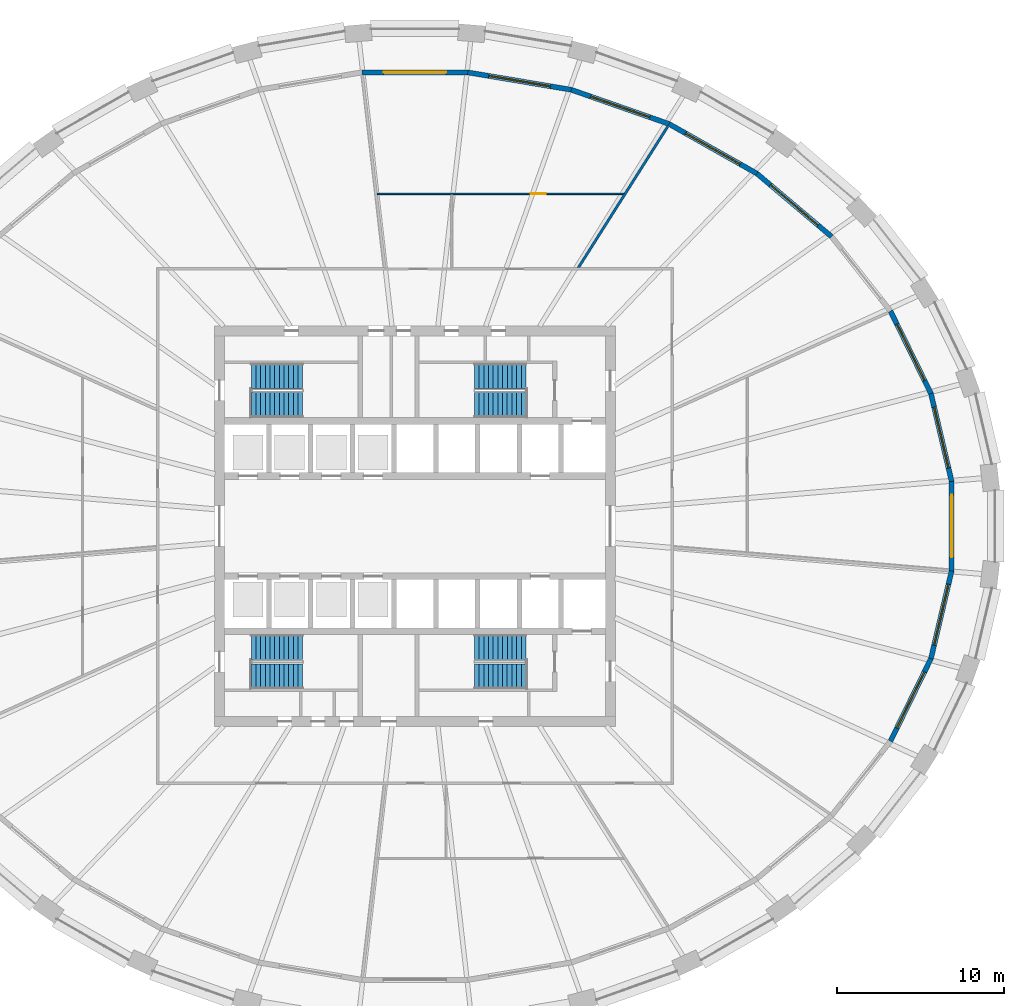
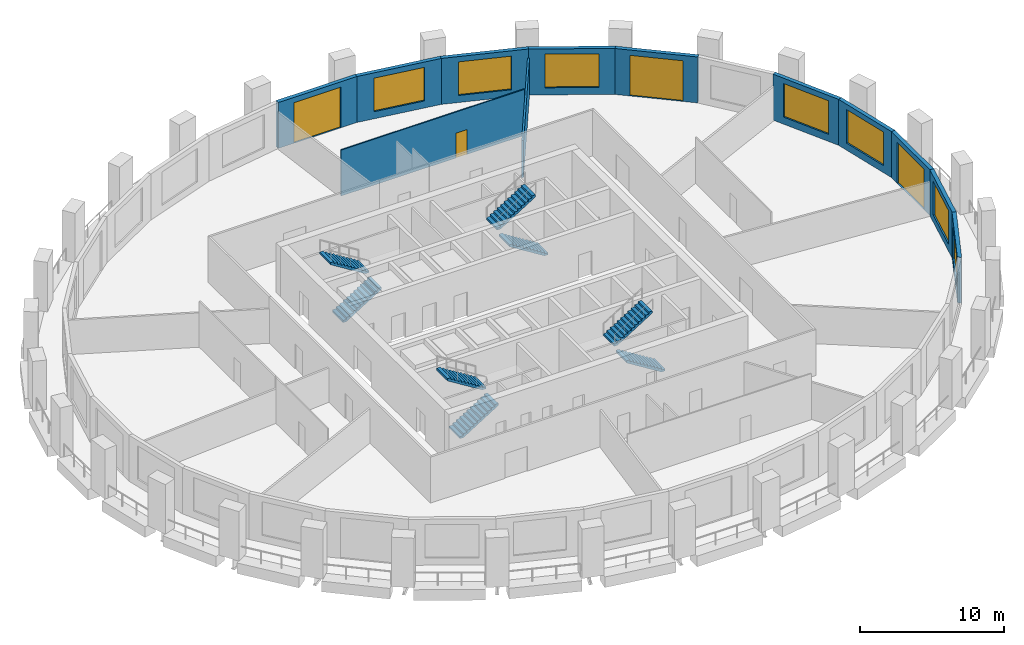
# One storey, part 7 of 10: 12 walls, 8 stair flights, 7 windows, 4 doors, 11 openings, 4 elements without a shape of their own.
"""IFC4 building model written with IfcOpenShell, lengths in metres."""

import ifcopenshell
import ifcopenshell.guid

model = None  # the IFC model being written
_history = None  # IfcOwnerHistory: only IFC2X3 demands one
_inside = {}  # id of a spatial element -> (the spatial element, [elements in it])
_under = {}  # id of a project, library or spatial element -> (it, [spatial elements below it])
_declared = {}  # id of a project -> (the project, [libraries it declares])
_typed = {}  # id of a type object -> (the type object, [elements of that type])
_made_of = {}  # id of a material, layer set ... -> (it, [elements and type objects made of it])


def new_model(schema):
    """Start an empty IFC model of exactly this schema.

    Asked for "IFC4X3", IfcOpenShell would pick the latest addendum, in which some entities
    have other attributes; the version numbers below select the first issue.
    IFC2X3 requires an IfcOwnerHistory on every rooted entity: one is made here for all.
    """
    global model, _history
    if schema == "IFC4X3":
        model = ifcopenshell.file(schema_version=(4, 3, 0, 0))
    else:
        model = ifcopenshell.file(schema=schema)
    _inside.clear()
    _under.clear()
    _declared.clear()
    _typed.clear()
    _made_of.clear()
    _history = None
    if model.schema == "IFC2X3":
        org = make("IfcOrganization", Name="unknown")
        user = make(
            "IfcPersonAndOrganization",
            ThePerson=make("IfcPerson", FamilyName="unknown"),
            TheOrganization=org,
        )
        app = make(
            "IfcApplication",
            ApplicationDeveloper=org,
            Version="unknown",
            ApplicationFullName="unknown",
            ApplicationIdentifier="unknown",
        )
        _history = make(
            "IfcOwnerHistory",
            OwningUser=user,
            OwningApplication=app,
            ChangeAction="ADDED",
            CreationDate=0,
        )
    return model


def make(cls, **values):
    """One entity of the class cls with the attributes given. An attribute that is None is left unset."""
    return model.create_entity(
        cls, **{name: value for name, value in values.items() if value is not None}
    )


def rooted(cls, **values):
    """An entity with a GlobalId (a new one), such as an element, a storey or a relation."""
    return make(cls, GlobalId=ifcopenshell.guid.new(), OwnerHistory=_history, **values)


def si_unit(unit_type, name, prefix=None):
    """IfcSIUnit, for example si_unit("LENGTHUNIT", "METRE", prefix="MILLI")."""
    return make("IfcSIUnit", UnitType=unit_type, Prefix=prefix, Name=name)


def assignment(units):
    """IfcUnitAssignment: the units of a project."""
    return None if units is None else make("IfcUnitAssignment", Units=units)


def point(xyz):
    """IfcCartesianPoint."""
    return None if xyz is None else make("IfcCartesianPoint", Coordinates=xyz)


def direction(xyz):
    """IfcDirection."""
    return None if xyz is None else make("IfcDirection", DirectionRatios=xyz)


def frame(location, z_axis=None, x_axis=None):
    """IfcAxis2Placement3D, a coordinate frame: its origin and axes. An axis left out is left unset."""
    return make(
        "IfcAxis2Placement3D",
        Location=point(location),
        Axis=direction(z_axis),
        RefDirection=direction(x_axis),
    )


def frame_2d(location, x_axis=None):
    """IfcAxis2Placement2D, a coordinate frame in the plane: its origin and x axis."""
    return make(
        "IfcAxis2Placement2D", Location=point(location), RefDirection=direction(x_axis)
    )


def origin():
    """The frame at (0, 0, 0) with its axes left unset."""
    return frame((0.0, 0.0, 0.0))


def place(relative_to, where):
    """IfcLocalPlacement: puts the frame where relative to a parent placement (None: the world)."""
    return make(
        "IfcLocalPlacement", PlacementRelTo=relative_to, RelativePlacement=where
    )


def context(
    kind, dimensions, precision=None, world=None, true_north=None, identifier=None
):
    """IfcGeometricRepresentationContext, for example the 3D "Model" context."""
    return make(
        "IfcGeometricRepresentationContext",
        ContextIdentifier=identifier,
        ContextType=kind,
        CoordinateSpaceDimension=dimensions,
        Precision=precision,
        WorldCoordinateSystem=world,
        TrueNorth=true_north,
    )


def subcontext(parent, identifier, kind, view, scale=None):
    """IfcGeometricRepresentationSubContext, for example "Body" below "Model"."""
    return make(
        "IfcGeometricRepresentationSubContext",
        ContextIdentifier=identifier,
        ContextType=kind,
        ParentContext=parent,
        TargetScale=scale,
        TargetView=view,
    )


def project(units=None, contexts=None):
    """IfcProject with its units and contexts."""
    return rooted(
        "IfcProject",
        Name="project",
        RepresentationContexts=contexts,
        UnitsInContext=assignment(units),
    )


def spatial(cls, under=None, at=None, **own):
    """A site, building, storey or space (cls), placed at a placement, below another one or the project."""
    s = rooted(cls, ObjectPlacement=at, **own)
    if under is not None:
        _under.setdefault(under.id(), (under, []))[1].append(s)
    return s


def polyline(points):
    """IfcPolyline through the points."""
    return make("IfcPolyline", Points=[point(p) for p in points])


def profile(cls, at=None, kind="AREA", **sizes):
    """A parametric profile (cls). Its sizes go by their IFC names, for example OverallWidth=200.0."""
    return make(cls, ProfileType=kind, Position=at, **sizes)


def rectangle(**sizes):
    """IfcRectangleProfileDef."""
    return profile("IfcRectangleProfileDef", **sizes)


def outline(outer, holes=None, kind="AREA"):
    """IfcArbitraryClosedProfileDef: a profile drawn as a closed curve; with holes, ...WithVoids."""
    if holes is None:
        return make("IfcArbitraryClosedProfileDef", ProfileType=kind, OuterCurve=outer)
    return make(
        "IfcArbitraryProfileDefWithVoids",
        ProfileType=kind,
        OuterCurve=outer,
        InnerCurves=holes,
    )


def extrude(swept, where, along, depth):
    """IfcExtrudedAreaSolid: the profile swept, set in the frame where, extruded along a direction by depth."""
    return make(
        "IfcExtrudedAreaSolid",
        SweptArea=swept,
        Position=where,
        ExtrudedDirection=direction(along),
        Depth=depth,
    )


def shape(context_of_items, identifier, shape_type, items):
    """IfcShapeRepresentation: the items that make up one representation, for example the "Body"."""
    return make(
        "IfcShapeRepresentation",
        ContextOfItems=context_of_items,
        RepresentationIdentifier=identifier,
        RepresentationType=shape_type,
        Items=items,
    )


def material(Name=None, Category=None):
    """IfcMaterial."""
    return make("IfcMaterial", Name=Name, Category=Category)


def layer(
    of_material, thickness, ventilated=None, Name=None, Category=None, Priority=None
):
    """IfcMaterialLayer: one layer of a wall or slab, of a material (None: an air gap)."""
    return make(
        "IfcMaterialLayer",
        Material=of_material,
        LayerThickness=thickness,
        IsVentilated=ventilated,
        Name=Name,
        Category=Category,
        Priority=Priority,
    )


def layer_set(layers, Name=None):
    """IfcMaterialLayerSet."""
    return make("IfcMaterialLayerSet", MaterialLayers=layers, LayerSetName=Name)


def made_of(thing, what):
    """Note that an element or type object is made of a material, layer set ...; save() writes the relation."""
    if what is not None:
        _made_of.setdefault(what.id(), (what, []))[1].append(thing)
    return thing


def type_object(cls, material=None, **own):
    """A type object (cls), such as IfcWallType, which elements share."""
    return made_of(rooted(cls, **own), material)


def element(
    cls,
    number,
    at=None,
    inside=None,
    cuts=None,
    type_object=None,
    material=None,
    context=None,
    identifier="Body",
    shape_type=None,
    held_by="IfcProductDefinitionShape",
    body=None,
    shapes=None,
    **own,
):
    """One element of the class cls, such as IfcWall. Its Tag is "e" and its number.

    at: its placement. inside: the storey or other place that contains it. cuts: it is an
    opening in that element (IfcRelVoidsElement). A single representation is given by context,
    identifier, shape_type and body (its items); several are given by shapes. held_by: the class
    of the entity that holds the representations. save() writes the other relations.
    """
    e = rooted(cls, Tag="e%d" % number, ObjectPlacement=at, **own)
    if body is not None:
        shapes = [shape(context, identifier, shape_type, body)]
    if shapes is not None:
        e.Representation = make(held_by, Representations=shapes)
    if inside is not None:
        _inside.setdefault(inside.id(), (inside, []))[1].append(e)
    if cuts is not None:
        rooted(
            "IfcRelVoidsElement", RelatingBuildingElement=cuts, RelatedOpeningElement=e
        )
    if type_object is not None:
        _typed.setdefault(type_object.id(), (type_object, []))[1].append(e)
    return made_of(e, material)


def fill(opening, filler):
    """IfcRelFillsElement: the door or window that sits in an opening."""
    return rooted(
        "IfcRelFillsElement",
        RelatingOpeningElement=opening,
        RelatedBuildingElement=filler,
    )


def aggregate(whole, parts):
    """IfcRelAggregates: a whole, such as a stair, and the parts it consists of."""
    return rooted("IfcRelAggregates", RelatingObject=whole, RelatedObjects=parts)


def save(model, path):
    """Write the relations noted so far, then the file.

    IfcRelAggregates (storeys below a building ...), IfcRelContainedInSpatialStructure (elements
    in a storey), IfcRelDefinesByType, IfcRelAssociatesMaterial and IfcRelDeclares: one each for
    every whole, place, type object, material and project.
    """
    for whole, parts in _under.values():
        aggregate(whole, parts)
    for where, things in _inside.values():
        rooted(
            "IfcRelContainedInSpatialStructure",
            RelatedElements=things,
            RelatingStructure=where,
        )
    for kind, things in _typed.values():
        rooted("IfcRelDefinesByType", RelatedObjects=things, RelatingType=kind)
    for what, things in _made_of.values():
        rooted("IfcRelAssociatesMaterial", RelatedObjects=things, RelatingMaterial=what)
    for by, libraries in _declared.values():
        rooted("IfcRelDeclares", RelatingContext=by, RelatedDefinitions=libraries)
    model.write(path)


model = new_model("IFC4")

# Units and contexts
model_context = context("Model", 3, precision=1e-05, world=origin(), true_north=direction((0.0, 1.0)))
body_context = subcontext(model_context, "Body", "Model", "MODEL_VIEW")
ifc_project = project(units=[si_unit("LENGTHUNIT", "METRE"), si_unit("AREAUNIT", "SQUARE_METRE"), si_unit("VOLUMEUNIT", "CUBIC_METRE"), si_unit("PLANEANGLEUNIT", "RADIAN"), si_unit("MASSUNIT", "GRAM", prefix="KILO")], contexts=[model_context])

# Site, building, storey
site_placement = place(None, origin())
site = spatial("IfcSite", under=ifc_project, at=site_placement, CompositionType="ELEMENT")
building_placement = place(site_placement, origin())
building = spatial("IfcBuilding", under=site, at=building_placement, Name="Halqa Exchange Tower", CompositionType="ELEMENT")
storey_placement = place(building_placement, frame((0.0, 0.0, 125.5)))
storey = spatial("IfcBuildingStorey", under=building, at=storey_placement, Name="L28", CompositionType="ELEMENT", Elevation=125.5)

# Wall
ifc_material_1 = material(Name="Fire-rated gypsum board")
ifc_layer_1 = layer(ifc_material_1, 0.14990234375)
ifc_layer_set_1 = layer_set([ifc_layer_1], Name="Fire-rated gypsum board")
wall_type_1 = type_object("IfcWallType", Name="Fire partition EI 60 150", PredefinedType="PARTITIONING", material=ifc_layer_set_1)
wall_1_placement = place(storey_placement, frame((9.76220703125, 15.43505859375, 0.0), z_axis=(0.0, 0.0, 1.0), x_axis=(0.534830284385, 0.844959506074, 0.0)))
element("IfcWall", 1, at=wall_1_placement, inside=storey, type_object=wall_type_1, Name="L28-PWL-019", PredefinedType="PARTITIONING", context=body_context, shape_type="SweptSolid", body=[
    extrude(outline(polyline([(10.056884765625, 0.074951171875), (8.4697265625, 0.074951171875), (6.882568359375, 0.074951171875), (5.29541015625, 0.074951171875), (5.211181640625, 0.021728515625), (5.177490234375, 0.074951171875), (3.45166015625, 0.074951171875), (1.725830078125, 0.074951171875), (0.0, 0.074951171875), (0.0, 0.07470703125), (0.0947265625, -0.074951171875), (2.087158203125, -0.074951171875), (4.07958984375, -0.074951171875), (6.072021484375, -0.074951171875), (8.064453125, -0.074951171875), (10.056884765625, -0.074951171875), (10.056884765625, 0.074951171875)])), origin(), (0.0, 0.0, 1.0), 3.14697265625),
])

# Wall, opening, door
ifc_material_2 = material(Name="Gypsum board")
ifc_layer_2 = layer(ifc_material_2, 0.10009765625)
ifc_layer_set_2 = layer_set([ifc_layer_2], Name="Gypsum board")
wall_type_2 = type_object("IfcWallType", Name="Partition 100 gypsum", PredefinedType="PARTITIONING", material=ifc_layer_set_2)
wall_2_placement = place(storey_placement, frame((-2.2548828125, 19.89990234375, 0.0), z_axis=(0.0, 0.0, 1.0), x_axis=(1.0, 0.0, 0.0)))
wall_2 = element("IfcWall", 2, at=wall_2_placement, inside=storey, type_object=wall_type_2, Name="L28-PWL-013", PredefinedType="PARTITIONING", context=body_context, shape_type="SweptSolid", body=[
    extrude(outline(polyline([(0.011474609375, -0.050048828125), (1.479248046875, -0.050048828125), (2.947021484375, -0.050048828125), (4.414794921875, -0.050048828125), (4.414794921875, -0.0498046875), (4.514892578125, -0.0498046875), (4.514892578125, -0.050048828125), (6.21630859375, -0.050048828125), (7.91748046875, -0.050048828125), (9.618896484375, -0.050048828125), (11.320068359375, -0.050048828125), (13.021484375, -0.050048828125), (14.72265625, -0.050048828125), (14.77490234375, 0.032470703125), (14.77490234375, 0.0322265625), (14.785888671875, 0.0498046875), (14.785888671875, 0.050048828125), (12.937744140625, 0.050048828125), (11.08935546875, 0.050048828125), (9.2412109375, 0.050048828125), (7.39306640625, 0.050048828125), (5.544677734375, 0.050048828125), (3.696533203125, 0.050048828125), (1.84814453125, 0.050048828125), (0.0, 0.050048828125), (0.0, 0.048095703125), (0.011474609375, -0.050048828125)])), origin(), (0.0, 0.0, 1.0), 3.89990234375),
])
opening_1_placement = place(wall_2_placement, frame((9.205078125, 0.0, 0.0)))
opening_1 = element("IfcOpeningElement", 3, at=opening_1_placement, cuts=wall_2, Name="Opening 08-14", PredefinedType="OPENING", context=body_context, shape_type="SweptSolid", body=[
    extrude(rectangle(XDim=0.89990234375, YDim=2.10009765625, at=frame_2d((0.449951171875, 1.050048828125))), frame((0.0, 0.06201171875, 0.0), z_axis=(0.0, -1.0, 0.0), x_axis=(1.0, 0.0, 0.0)), (0.0, 0.0, 1.0), 0.1240234375),
])
ifc_material_3 = material(Name="Timber door leaf", Category="wood")
door_type_1 = type_object("IfcDoorType", Name="Door 900 x 2100", OperationType="SINGLE_SWING_LEFT", PredefinedType="DOOR", material=ifc_material_3)
door_1_placement = place(opening_1_placement, frame((0.89990234375, 0.0, 0.0), z_axis=(0.0, 0.0, 1.0), x_axis=(-1.0, 0.0, 0.0)))
door_1 = element("IfcDoor", 4, at=door_1_placement, inside=storey, type_object=door_type_1, Name="L28-IDR-014", OperationType="SINGLE_SWING_RIGHT", OverallHeight=2.10009765625, OverallWidth=0.89990234375, PredefinedType="DOOR", context=body_context, shape_type="SweptSolid", body=[
    extrude(rectangle(XDim=0.89990234375, YDim=2.10009765625, at=frame_2d((0.449951171875, 1.050048828125))), frame((0.0, 0.02490234375, 0.0), z_axis=(0.0, -1.0, 0.0), x_axis=(1.0, 0.0, 0.0)), (0.0, 0.0, 1.0), 0.050048828125),
])
fill(opening_1, door_1)

# Wall, opening, window
ifc_material_4 = material(Name="Limestone cladding", Category="masonry")
ifc_layer_3 = layer(ifc_material_4, 0.0400390625)
ifc_material_5 = material(Name="Ventilated cavity")
ifc_layer_4 = layer(ifc_material_5, 0.030029296875, ventilated=True)
ifc_material_6 = material(Name="Mineral wool insulation")
ifc_layer_5 = layer(ifc_material_6, 0.10009765625)
ifc_material_7 = material(Name="Concrete C30/37", Category="concrete")
ifc_layer_6 = layer(ifc_material_7, 0.10009765625)
ifc_material_8 = material(Name="Internal plaster")
ifc_layer_7 = layer(ifc_material_8, 0.030029296875)
ifc_layer_set_3 = layer_set([ifc_layer_3, ifc_layer_4, ifc_layer_5, ifc_layer_6, ifc_layer_7], Name="Stone-faced insulated wall 300")
wall_type_3 = type_object("IfcWallType", Name="Stone-faced insulated wall 300", PredefinedType="STANDARD", material=ifc_layer_set_3)
wall_3_placement = place(storey_placement, frame((32.142578125, 2.678955078125, 0.0), z_axis=(0.0, 0.0, 1.0), x_axis=(-0.229200658045, 0.973379195561, 0.0)))
wall_3 = element("IfcWall", 5, at=wall_3_placement, inside=storey, type_object=wall_type_3, Name="Glass-line wall 1", PredefinedType="STANDARD", context=body_context, shape_type="SweptSolid", body=[
    extrude(outline(polyline([(-0.017333984375, -0.14990234375), (5.415283203125, -0.14990234375), (5.381591796875, 0.14990234375), (0.017333984375, 0.14990234375), (-0.017333984375, -0.14990234375)])), origin(), (0.0, 0.0, 1.0), 3.89990234375),
])
opening_2_placement = place(wall_3_placement, frame((0.82421875, 0.0, 0.60009765625)))
opening_2 = element("IfcOpeningElement", 6, at=opening_2_placement, cuts=wall_3, Name="Opening W-F2-01", PredefinedType="OPENING", context=body_context, shape_type="SweptSolid", body=[
    extrude(rectangle(XDim=3.75, YDim=2.85009765625, at=frame_2d((1.875, 1.425048828125))), frame((0.0, 0.162109375, 0.0), z_axis=(0.0, -1.0, 0.0), x_axis=(1.0, 0.0, 0.0)), (0.0, 0.0, 1.0), 0.323974609375),
])
ifc_material_9 = material(Name="Clear low-emissivity glass in aluminium frame", Category="aluminium")
window_type = type_object("IfcWindowType", Name="Fixed clear glazed window 3750 x 2850", PartitioningType="TRIPLE_PANEL_VERTICAL", PredefinedType="WINDOW", material=ifc_material_9)
window_1_placement = place(opening_2_placement, origin())
window_1 = element("IfcWindow", 7, at=window_1_placement, inside=storey, type_object=window_type, Name="Window 2", OverallHeight=2.85009765625, OverallWidth=3.75, PartitioningType="TRIPLE_PANEL_VERTICAL", PredefinedType="WINDOW", context=body_context, shape_type="SweptSolid", body=[
    extrude(rectangle(XDim=3.75, YDim=2.85009765625, at=frame_2d((1.875, 1.425048828125))), frame((0.0, 0.030029296875, 0.0), z_axis=(0.0, -1.0, 0.0), x_axis=(1.0, 0.0, 0.0)), (0.0, 0.0, 1.0), 0.06005859375),
])
fill(opening_2, window_1)

wall_4_placement = place(storey_placement, frame((30.9052734375, 7.93359375, 0.0), z_axis=(0.0, 0.0, 1.0), x_axis=(-0.440306401535, 0.897847577692, 0.0)))
wall_4 = element("IfcWall", 8, at=wall_4_placement, inside=storey, type_object=wall_type_3, Name="Glass-line wall 2", PredefinedType="STANDARD", context=body_context, shape_type="SweptSolid", body=[
    extrude(outline(polyline([(-0.016845703125, -0.14990234375), (5.526611328125, -0.14990234375), (5.494384765625, 0.14990234375), (0.016845703125, 0.14990234375), (-0.016845703125, -0.14990234375)])), origin(), (0.0, 0.0, 1.0), 3.89990234375),
])
opening_3_placement = place(wall_4_placement, frame((0.880126953125, 0.0, 0.60009765625)))
opening_3 = element("IfcOpeningElement", 9, at=opening_3_placement, cuts=wall_4, Name="Opening W-F2-02", PredefinedType="OPENING", context=body_context, shape_type="SweptSolid", body=[
    extrude(rectangle(XDim=3.75, YDim=2.85009765625, at=frame_2d((1.875, 1.425048828125))), frame((0.0, 0.162109375, 0.0), z_axis=(0.0, -1.0, 0.0), x_axis=(1.0, 0.0, 0.0)), (0.0, 0.0, 1.0), 0.323974609375),
])
window_2_placement = place(opening_3_placement, origin())
window_2 = element("IfcWindow", 10, at=window_2_placement, inside=storey, type_object=window_type, Name="Window 2", OverallHeight=2.85009765625, OverallWidth=3.75, PartitioningType="TRIPLE_PANEL_VERTICAL", PredefinedType="WINDOW", context=body_context, shape_type="SweptSolid", body=[
    extrude(rectangle(XDim=3.75, YDim=2.85009765625, at=frame_2d((1.875, 1.425048828125))), frame((0.0, 0.030029296875, 0.0), z_axis=(0.0, -1.0, 0.0), x_axis=(1.0, 0.0, 0.0)), (0.0, 0.0, 1.0), 0.06005859375),
])
fill(opening_3, window_2)

# Wall, opening, door
wall_5_placement = place(storey_placement, frame((24.95849609375, 17.331787109375, 0.0), z_axis=(0.0, 0.0, 1.0), x_axis=(-0.763937302001, 0.645290476151, 0.0)))
wall_5 = element("IfcWall", 11, at=wall_5_placement, inside=storey, type_object=wall_type_3, Name="Glass-line wall 4", PredefinedType="STANDARD", context=body_context, shape_type="SweptSolid", body=[
    extrude(outline(polyline([(-0.01513671875, -0.14990234375), (5.87646484375, -0.14990234375), (5.84814453125, 0.14990234375), (0.01513671875, 0.14990234375), (-0.01513671875, -0.14990234375)])), origin(), (0.0, 0.0, 1.0), 3.89990234375),
])
opening_4_placement = place(wall_5_placement, frame((1.05615234375, 0.0, 0.0)))
opening_4 = element("IfcOpeningElement", 12, at=opening_4_placement, cuts=wall_5, Name="Opening LG-F2-01", PredefinedType="OPENING", context=body_context, shape_type="SweptSolid", body=[
    extrude(rectangle(XDim=3.75, YDim=3.449951171875, at=frame_2d((1.875, 1.72509765625))), frame((0.0, 0.162109375, 0.0), z_axis=(0.0, -1.0, 0.0), x_axis=(1.0, 0.0, 0.0)), (0.0, 0.0, 1.0), 0.323974609375),
])
door_type_2 = type_object("IfcDoorType", Name="Glazed sliding loggia door 3750 x 3450", OperationType="DOUBLE_DOOR_SLIDING", PredefinedType="DOOR", material=ifc_material_9)
door_2_placement = place(opening_4_placement, origin())
door_2 = element("IfcDoor", 13, at=door_2_placement, inside=storey, type_object=door_type_2, Name="Loggia door 1", OperationType="DOUBLE_DOOR_SLIDING", OverallHeight=3.449951171875, OverallWidth=3.75, PredefinedType="DOOR", context=body_context, shape_type="SweptSolid", body=[
    extrude(rectangle(XDim=3.75, YDim=3.449951171875, at=frame_2d((1.875, 1.72509765625))), frame((0.0, 0.02490234375, 0.0), z_axis=(0.0, -1.0, 0.0), x_axis=(1.0, 0.0, 0.0)), (0.0, 0.0, 1.0), 0.050048828125),
])
fill(opening_4, door_2)

# Wall, opening, window
wall_6_placement = place(storey_placement, frame((20.47998046875, 21.11474609375, 0.0), z_axis=(0.0, 0.0, 1.0), x_axis=(-0.870858332497, 0.491534093142, 0.0)))
wall_6 = element("IfcWall", 14, at=wall_6_placement, inside=storey, type_object=wall_type_3, Name="Glass-line wall 5", PredefinedType="STANDARD", context=body_context, shape_type="SweptSolid", body=[
    extrude(outline(polyline([(-0.01416015625, -0.14990234375), (6.0576171875, -0.14990234375), (6.03076171875, 0.14990234375), (0.01416015625, 0.14990234375), (-0.01416015625, -0.14990234375)])), origin(), (0.0, 0.0, 1.0), 3.89990234375),
])
opening_5_placement = place(wall_6_placement, frame((1.147216796875, 0.0, 0.60009765625)))
opening_5 = element("IfcOpeningElement", 15, at=opening_5_placement, cuts=wall_6, Name="Opening W-F2-05", PredefinedType="OPENING", context=body_context, shape_type="SweptSolid", body=[
    extrude(rectangle(XDim=3.75, YDim=2.85009765625, at=frame_2d((1.875, 1.425048828125))), frame((0.0, 0.162109375, 0.0), z_axis=(0.0, -1.0, 0.0), x_axis=(1.0, 0.0, 0.0)), (0.0, 0.0, 1.0), 0.323974609375),
])
window_3_placement = place(opening_5_placement, origin())
window_3 = element("IfcWindow", 16, at=window_3_placement, inside=storey, type_object=window_type, Name="Window 2", OverallHeight=2.85009765625, OverallWidth=3.75, PartitioningType="TRIPLE_PANEL_VERTICAL", PredefinedType="WINDOW", context=body_context, shape_type="SweptSolid", body=[
    extrude(rectangle(XDim=3.75, YDim=2.85009765625, at=frame_2d((1.875, 1.425048828125))), frame((0.0, 0.030029296875, 0.0), z_axis=(0.0, -1.0, 0.0), x_axis=(1.0, 0.0, 0.0)), (0.0, 0.0, 1.0), 0.06005859375),
])
fill(opening_5, window_3)

wall_7_placement = place(storey_placement, frame((15.21630859375, 24.085693359375, 0.0), z_axis=(0.0, 0.0, 1.0), x_axis=(-0.94389706045, 0.330239820849, 0.0)))
wall_7 = element("IfcWall", 17, at=wall_7_placement, inside=storey, type_object=wall_type_3, Name="Glass-line wall 6", PredefinedType="STANDARD", context=body_context, shape_type="SweptSolid", body=[
    extrude(outline(polyline([(-0.013427734375, -0.14990234375), (6.20703125, -0.14990234375), (6.181640625, 0.14990234375), (0.013427734375, 0.14990234375), (-0.013427734375, -0.14990234375)])), origin(), (0.0, 0.0, 1.0), 3.89990234375),
])
opening_6_placement = place(wall_7_placement, frame((1.22216796875, 0.0, 0.60009765625)))
opening_6 = element("IfcOpeningElement", 18, at=opening_6_placement, cuts=wall_7, Name="Opening W-F2-06", PredefinedType="OPENING", context=body_context, shape_type="SweptSolid", body=[
    extrude(rectangle(XDim=3.75, YDim=2.85009765625, at=frame_2d((1.875, 1.425048828125))), frame((0.0, 0.162109375, 0.0), z_axis=(0.0, -1.0, 0.0), x_axis=(1.0, 0.0, 0.0)), (0.0, 0.0, 1.0), 0.323974609375),
])
window_4_placement = place(opening_6_placement, origin())
window_4 = element("IfcWindow", 19, at=window_4_placement, inside=storey, type_object=window_type, Name="Window 2", OverallHeight=2.85009765625, OverallWidth=3.75, PartitioningType="TRIPLE_PANEL_VERTICAL", PredefinedType="WINDOW", context=body_context, shape_type="SweptSolid", body=[
    extrude(rectangle(XDim=3.75, YDim=2.85009765625, at=frame_2d((1.875, 1.425048828125))), frame((0.0, 0.030029296875, 0.0), z_axis=(0.0, -1.0, 0.0), x_axis=(1.0, 0.0, 0.0)), (0.0, 0.0, 1.0), 0.06005859375),
])
fill(opening_6, window_4)

wall_8_placement = place(storey_placement, frame((9.369384765625, 26.13134765625, 0.0), z_axis=(0.0, 0.0, 1.0), x_axis=(-0.986176011722, 0.165701158427, 0.0)))
wall_8 = element("IfcWall", 20, at=wall_8_placement, inside=storey, type_object=wall_type_3, Name="Glass-line wall 7", PredefinedType="STANDARD", context=body_context, shape_type="SweptSolid", body=[
    extrude(outline(polyline([(-0.0126953125, -0.14990234375), (6.30517578125, -0.14990234375), (6.2802734375, 0.14990234375), (0.0126953125, 0.14990234375), (-0.0126953125, -0.14990234375)])), origin(), (0.0, 0.0, 1.0), 3.89990234375),
])
opening_7_placement = place(wall_8_placement, frame((1.271484375, 0.0, 0.60009765625)))
opening_7 = element("IfcOpeningElement", 21, at=opening_7_placement, cuts=wall_8, Name="Opening W-F2-07", PredefinedType="OPENING", context=body_context, shape_type="SweptSolid", body=[
    extrude(rectangle(XDim=3.75, YDim=2.85009765625, at=frame_2d((1.875, 1.425048828125))), frame((0.0, 0.162109375, 0.0), z_axis=(0.0, -1.0, 0.0), x_axis=(1.0, 0.0, 0.0)), (0.0, 0.0, 1.0), 0.323974609375),
])
window_5_placement = place(opening_7_placement, origin())
window_5 = element("IfcWindow", 22, at=window_5_placement, inside=storey, type_object=window_type, Name="Window 2", OverallHeight=2.85009765625, OverallWidth=3.75, PartitioningType="TRIPLE_PANEL_VERTICAL", PredefinedType="WINDOW", context=body_context, shape_type="SweptSolid", body=[
    extrude(rectangle(XDim=3.75, YDim=2.85009765625, at=frame_2d((1.875, 1.425048828125))), frame((0.0, 0.030029296875, 0.0), z_axis=(0.0, -1.0, 0.0), x_axis=(1.0, 0.0, 0.0)), (0.0, 0.0, 1.0), 0.06005859375),
])
fill(opening_7, window_5)

# Wall, opening, door
wall_9_placement = place(storey_placement, frame((3.16357421875, 27.174072265625, 0.0), z_axis=(0.0, 0.0, 1.0), x_axis=(-1.0, 0.0, 0.0)))
wall_9 = element("IfcWall", 23, at=wall_9_placement, inside=storey, type_object=wall_type_3, Name="Glass-line wall 8", PredefinedType="STANDARD", context=body_context, shape_type="SweptSolid", body=[
    extrude(outline(polyline([(-0.012451171875, -0.14990234375), (6.339599609375, -0.14990234375), (6.314697265625, 0.14990234375), (0.012451171875, 0.14990234375), (-0.012451171875, -0.14990234375)])), origin(), (0.0, 0.0, 1.0), 3.89990234375),
])
opening_8_placement = place(wall_9_placement, frame((1.28857421875, 0.0, 0.0)))
opening_8 = element("IfcOpeningElement", 24, at=opening_8_placement, cuts=wall_9, Name="Opening LG-F2-02", PredefinedType="OPENING", context=body_context, shape_type="SweptSolid", body=[
    extrude(rectangle(XDim=3.75, YDim=3.449951171875, at=frame_2d((1.875, 1.72509765625))), frame((0.0, 0.162109375, 0.0), z_axis=(0.0, -1.0, 0.0), x_axis=(1.0, 0.0, 0.0)), (0.0, 0.0, 1.0), 0.323974609375),
])
door_3_placement = place(opening_8_placement, origin())
door_3 = element("IfcDoor", 25, at=door_3_placement, inside=storey, type_object=door_type_2, Name="Loggia door 2", OperationType="DOUBLE_DOOR_SLIDING", OverallHeight=3.449951171875, OverallWidth=3.75, PredefinedType="DOOR", context=body_context, shape_type="SweptSolid", body=[
    extrude(rectangle(XDim=3.75, YDim=3.449951171875, at=frame_2d((1.875, 1.72509765625))), frame((0.0, 0.02490234375, 0.0), z_axis=(0.0, -1.0, 0.0), x_axis=(1.0, 0.0, 0.0)), (0.0, 0.0, 1.0), 0.050048828125),
])
fill(opening_8, door_3)

# Wall, opening, window
wall_10_placement = place(storey_placement, frame((28.47900390625, -12.881103515625, 0.0), z_axis=(0.0, 0.0, 1.0), x_axis=(0.440306401535, 0.897847577692, 0.0)))
wall_10 = element("IfcWall", 26, at=wall_10_placement, inside=storey, type_object=wall_type_3, Name="Glass-line wall 30", PredefinedType="STANDARD", context=body_context, shape_type="SweptSolid", body=[
    extrude(outline(polyline([(-0.01611328125, -0.14990234375), (5.52734375, -0.14990234375), (5.49365234375, 0.14990234375), (0.01611328125, 0.14990234375), (-0.01611328125, -0.14990234375)])), origin(), (0.0, 0.0, 1.0), 3.89990234375),
])
opening_9_placement = place(wall_10_placement, frame((0.880126953125, 0.0, 0.60009765625)))
opening_9 = element("IfcOpeningElement", 27, at=opening_9_placement, cuts=wall_10, Name="Opening W-F2-30", PredefinedType="OPENING", context=body_context, shape_type="SweptSolid", body=[
    extrude(rectangle(XDim=3.75, YDim=2.85009765625, at=frame_2d((1.875, 1.425048828125))), frame((0.0, 0.162109375, 0.0), z_axis=(0.0, -1.0, 0.0), x_axis=(1.0, 0.0, 0.0)), (0.0, 0.0, 1.0), 0.323974609375),
])
window_6_placement = place(opening_9_placement, origin())
window_6 = element("IfcWindow", 28, at=window_6_placement, inside=storey, type_object=window_type, Name="Window 2", OverallHeight=2.85009765625, OverallWidth=3.75, PartitioningType="TRIPLE_PANEL_VERTICAL", PredefinedType="WINDOW", context=body_context, shape_type="SweptSolid", body=[
    extrude(rectangle(XDim=3.75, YDim=2.85009765625, at=frame_2d((1.875, 1.425048828125))), frame((0.0, 0.030029296875, 0.0), z_axis=(0.0, -1.0, 0.0), x_axis=(1.0, 0.0, 0.0)), (0.0, 0.0, 1.0), 0.06005859375),
])
fill(opening_9, window_6)

wall_11_placement = place(storey_placement, frame((30.9052734375, -7.93359375, 0.0), z_axis=(0.0, 0.0, 1.0), x_axis=(0.229200658045, 0.973379195561, 0.0)))
wall_11 = element("IfcWall", 29, at=wall_11_placement, inside=storey, type_object=wall_type_3, Name="Glass-line wall 31", PredefinedType="STANDARD", context=body_context, shape_type="SweptSolid", body=[
    extrude(outline(polyline([(-0.016845703125, -0.14990234375), (5.415771484375, -0.14990234375), (5.381103515625, 0.14990234375), (0.016845703125, 0.14990234375), (-0.016845703125, -0.14990234375)])), origin(), (0.0, 0.0, 1.0), 3.89990234375),
])
opening_10_placement = place(wall_11_placement, frame((0.82421875, 0.0, 0.60009765625)))
opening_10 = element("IfcOpeningElement", 30, at=opening_10_placement, cuts=wall_11, Name="Opening W-F2-31", PredefinedType="OPENING", context=body_context, shape_type="SweptSolid", body=[
    extrude(rectangle(XDim=3.75, YDim=2.85009765625, at=frame_2d((1.875, 1.425048828125))), frame((0.0, 0.162109375, 0.0), z_axis=(0.0, -1.0, 0.0), x_axis=(1.0, 0.0, 0.0)), (0.0, 0.0, 1.0), 0.323974609375),
])
window_7_placement = place(opening_10_placement, origin())
window_7 = element("IfcWindow", 31, at=window_7_placement, inside=storey, type_object=window_type, Name="Window 2", OverallHeight=2.85009765625, OverallWidth=3.75, PartitioningType="TRIPLE_PANEL_VERTICAL", PredefinedType="WINDOW", context=body_context, shape_type="SweptSolid", body=[
    extrude(rectangle(XDim=3.75, YDim=2.85009765625, at=frame_2d((1.875, 1.425048828125))), frame((0.0, 0.030029296875, 0.0), z_axis=(0.0, -1.0, 0.0), x_axis=(1.0, 0.0, 0.0)), (0.0, 0.0, 1.0), 0.06005859375),
])
fill(opening_10, window_7)

# Wall, opening, door
wall_12_placement = place(storey_placement, frame((32.142578125, -2.678955078125, 0.0), z_axis=(0.0, 0.0, 1.0), x_axis=(0.0, 1.0, 0.0)))
wall_12 = element("IfcWall", 32, at=wall_12_placement, inside=storey, type_object=wall_type_3, Name="Glass-line wall 32", PredefinedType="STANDARD", context=body_context, shape_type="SweptSolid", body=[
    extrude(outline(polyline([(-0.017333984375, -0.14990234375), (5.375244140625, -0.14990234375), (5.340576171875, 0.14990234375), (0.017333984375, 0.14990234375), (-0.017333984375, -0.14990234375)])), origin(), (0.0, 0.0, 1.0), 3.89990234375),
])
opening_11_placement = place(wall_12_placement, frame((0.803955078125, 0.0, 0.0)))
opening_11 = element("IfcOpeningElement", 33, at=opening_11_placement, cuts=wall_12, Name="Opening LG-F2-08", PredefinedType="OPENING", context=body_context, shape_type="SweptSolid", body=[
    extrude(rectangle(XDim=3.75, YDim=3.449951171875, at=frame_2d((1.875, 1.72509765625))), frame((0.0, 0.162109375, 0.0), z_axis=(0.0, -1.0, 0.0), x_axis=(1.0, 0.0, 0.0)), (0.0, 0.0, 1.0), 0.323974609375),
])
door_4_placement = place(opening_11_placement, origin())
door_4 = element("IfcDoor", 34, at=door_4_placement, inside=storey, type_object=door_type_2, Name="Loggia door 8", OperationType="DOUBLE_DOOR_SLIDING", OverallHeight=3.449951171875, OverallWidth=3.75, PredefinedType="DOOR", context=body_context, shape_type="SweptSolid", body=[
    extrude(rectangle(XDim=3.75, YDim=3.449951171875, at=frame_2d((1.875, 1.72509765625))), frame((0.0, 0.02490234375, 0.0), z_axis=(0.0, -1.0, 0.0), x_axis=(1.0, 0.0, 0.0)), (0.0, 0.0, 1.0), 0.050048828125),
])
fill(opening_11, door_4)

# Stair, stair flights
stair_type = type_object("IfcStairType", Name="Exit stair 1500 wide", PredefinedType="HALF_TURN_STAIR", material=ifc_material_7)
stair_1_placement = place(storey_placement, origin())
stair_1 = element("IfcStair", 35, at=stair_1_placement, inside=storey, type_object=stair_type, Name="Exit stair ST1", PredefinedType="HALF_TURN_STAIR")
stair_flight_type = type_object("IfcStairFlightType", Name="Stair flight 1500 wide", PredefinedType="STRAIGHT", material=ifc_material_7)
stair_flight_1_placement = place(storey_placement, frame((-9.800048828125, 7.25, 0.0), z_axis=(0.0, 0.0, 1.0), x_axis=(1.0, 0.0, 0.0)))
stair_flight_1 = element("IfcStairFlight", 36, at=stair_flight_1_placement, type_object=stair_flight_type, Name="ST1 flight 1", NumberOfRisers=12, NumberOfTreads=11, PredefinedType="STRAIGHT", RiserHeight=0.175, TreadLength=0.28, context=body_context, shape_type="SweptSolid", body=[
    extrude(outline(polyline([(0.0, 0.0), (0.0, 0.175048828125), (0.280029296875, 0.175048828125), (0.280029296875, 0.35009765625), (0.56005859375, 0.35009765625), (0.56005859375, 0.52490234375), (0.840087890625, 0.52490234375), (0.840087890625, 0.699951171875), (1.1201171875, 0.699951171875), (1.1201171875, 0.875), (1.39990234375, 0.875), (1.39990234375, 1.050048828125), (1.679931640625, 1.050048828125), (1.679931640625, 1.22509765625), (1.9599609375, 1.22509765625), (1.9599609375, 1.39990234375), (2.239990234375, 1.39990234375), (2.239990234375, 1.574951171875), (2.52001953125, 1.574951171875), (2.52001953125, 1.75), (2.800048828125, 1.75), (2.800048828125, 1.925048828125), (3.080078125, 1.925048828125), (3.080078125, 2.10009765625), (3.080078125, 1.748291015625), (0.28271484375, 0.0), (0.0, 0.0)])), frame((0.0, 0.75, 0.0), z_axis=(0.0, -1.0, 0.0), x_axis=(1.0, 0.0, 0.0)), (0.0, 0.0, 1.0), 1.5),
])
stair_flight_2_placement = place(storey_placement, frame((-6.719970703125, 9.0, 2.10009765625), z_axis=(0.0, 0.0, 1.0), x_axis=(-1.0, 0.0, 0.0)))
stair_flight_2 = element("IfcStairFlight", 37, at=stair_flight_2_placement, type_object=stair_flight_type, Name="ST1 flight 2", NumberOfRisers=12, NumberOfTreads=11, PredefinedType="STRAIGHT", RiserHeight=0.175, TreadLength=0.28, context=body_context, shape_type="SweptSolid", body=[
    extrude(outline(polyline([(0.0, 0.0), (0.0, 0.175048828125), (0.280029296875, 0.175048828125), (0.280029296875, 0.35009765625), (0.56005859375, 0.35009765625), (0.56005859375, 0.52490234375), (0.840087890625, 0.52490234375), (0.840087890625, 0.699951171875), (1.1201171875, 0.699951171875), (1.1201171875, 0.875), (1.39990234375, 0.875), (1.39990234375, 1.050048828125), (1.679931640625, 1.050048828125), (1.679931640625, 1.22509765625), (1.9599609375, 1.22509765625), (1.9599609375, 1.39990234375), (2.239990234375, 1.39990234375), (2.239990234375, 1.574951171875), (2.52001953125, 1.574951171875), (2.52001953125, 1.75), (2.800048828125, 1.75), (2.800048828125, 1.925048828125), (3.080078125, 1.925048828125), (3.080078125, 2.10009765625), (3.080078125, 1.748291015625), (0.28271484375, 0.0), (0.0, 0.0)])), frame((0.0, 0.75, 0.0), z_axis=(0.0, -1.0, 0.0), x_axis=(1.0, 0.0, 0.0)), (0.0, 0.0, 1.0), 1.5),
])
aggregate(stair_1, [stair_flight_1, stair_flight_2])

stair_2_placement = place(storey_placement, origin())
stair_2 = element("IfcStair", 38, at=stair_2_placement, inside=storey, type_object=stair_type, Name="Exit stair ST2", PredefinedType="HALF_TURN_STAIR")
stair_flight_3_placement = place(storey_placement, frame((6.64990234375, 7.25, 0.0), z_axis=(0.0, 0.0, 1.0), x_axis=(-1.0, 0.0, 0.0)))
stair_flight_3 = element("IfcStairFlight", 39, at=stair_flight_3_placement, type_object=stair_flight_type, Name="ST2 flight 1", NumberOfRisers=12, NumberOfTreads=11, PredefinedType="STRAIGHT", RiserHeight=0.175, TreadLength=0.28, context=body_context, shape_type="SweptSolid", body=[
    extrude(outline(polyline([(0.0, 0.0), (0.0, 0.175048828125), (0.280029296875, 0.175048828125), (0.280029296875, 0.35009765625), (0.56005859375, 0.35009765625), (0.56005859375, 0.52490234375), (0.840087890625, 0.52490234375), (0.840087890625, 0.699951171875), (1.1201171875, 0.699951171875), (1.1201171875, 0.875), (1.39990234375, 0.875), (1.39990234375, 1.050048828125), (1.679931640625, 1.050048828125), (1.679931640625, 1.22509765625), (1.9599609375, 1.22509765625), (1.9599609375, 1.39990234375), (2.239990234375, 1.39990234375), (2.239990234375, 1.574951171875), (2.52001953125, 1.574951171875), (2.52001953125, 1.75), (2.800048828125, 1.75), (2.800048828125, 1.925048828125), (3.080078125, 1.925048828125), (3.080078125, 2.10009765625), (3.080078125, 1.748291015625), (0.28271484375, 0.0), (0.0, 0.0)])), frame((0.0, 0.75, 0.0), z_axis=(0.0, -1.0, 0.0), x_axis=(1.0, 0.0, 0.0)), (0.0, 0.0, 1.0), 1.5),
])
stair_flight_4_placement = place(storey_placement, frame((3.570068359375, 9.0, 2.10009765625), z_axis=(0.0, 0.0, 1.0), x_axis=(1.0, 0.0, 0.0)))
stair_flight_4 = element("IfcStairFlight", 40, at=stair_flight_4_placement, type_object=stair_flight_type, Name="ST2 flight 2", NumberOfRisers=12, NumberOfTreads=11, PredefinedType="STRAIGHT", RiserHeight=0.175, TreadLength=0.28, context=body_context, shape_type="SweptSolid", body=[
    extrude(outline(polyline([(0.0, 0.0), (0.0, 0.175048828125), (0.280029296875, 0.175048828125), (0.280029296875, 0.35009765625), (0.56005859375, 0.35009765625), (0.56005859375, 0.52490234375), (0.840087890625, 0.52490234375), (0.840087890625, 0.699951171875), (1.1201171875, 0.699951171875), (1.1201171875, 0.875), (1.39990234375, 0.875), (1.39990234375, 1.050048828125), (1.679931640625, 1.050048828125), (1.679931640625, 1.22509765625), (1.9599609375, 1.22509765625), (1.9599609375, 1.39990234375), (2.239990234375, 1.39990234375), (2.239990234375, 1.574951171875), (2.52001953125, 1.574951171875), (2.52001953125, 1.75), (2.800048828125, 1.75), (2.800048828125, 1.925048828125), (3.080078125, 1.925048828125), (3.080078125, 2.10009765625), (3.080078125, 1.748291015625), (0.28271484375, 0.0), (0.0, 0.0)])), frame((0.0, 0.75, 0.0), z_axis=(0.0, -1.0, 0.0), x_axis=(1.0, 0.0, 0.0)), (0.0, 0.0, 1.0), 1.5),
])
aggregate(stair_2, [stair_flight_3, stair_flight_4])

stair_3_placement = place(storey_placement, origin())
stair_3 = element("IfcStair", 41, at=stair_3_placement, inside=storey, type_object=stair_type, Name="Exit stair ST3", PredefinedType="HALF_TURN_STAIR")
stair_flight_5_placement = place(storey_placement, frame((-9.800048828125, -9.0, 0.0), z_axis=(0.0, 0.0, 1.0), x_axis=(1.0, 0.0, 0.0)))
stair_flight_5 = element("IfcStairFlight", 42, at=stair_flight_5_placement, type_object=stair_flight_type, Name="ST3 flight 1", NumberOfRisers=12, NumberOfTreads=11, PredefinedType="STRAIGHT", RiserHeight=0.175, TreadLength=0.28, context=body_context, shape_type="SweptSolid", body=[
    extrude(outline(polyline([(0.0, 0.0), (0.0, 0.175048828125), (0.280029296875, 0.175048828125), (0.280029296875, 0.35009765625), (0.56005859375, 0.35009765625), (0.56005859375, 0.52490234375), (0.840087890625, 0.52490234375), (0.840087890625, 0.699951171875), (1.1201171875, 0.699951171875), (1.1201171875, 0.875), (1.39990234375, 0.875), (1.39990234375, 1.050048828125), (1.679931640625, 1.050048828125), (1.679931640625, 1.22509765625), (1.9599609375, 1.22509765625), (1.9599609375, 1.39990234375), (2.239990234375, 1.39990234375), (2.239990234375, 1.574951171875), (2.52001953125, 1.574951171875), (2.52001953125, 1.75), (2.800048828125, 1.75), (2.800048828125, 1.925048828125), (3.080078125, 1.925048828125), (3.080078125, 2.10009765625), (3.080078125, 1.748291015625), (0.28271484375, 0.0), (0.0, 0.0)])), frame((0.0, 0.75, 0.0), z_axis=(0.0, -1.0, 0.0), x_axis=(1.0, 0.0, 0.0)), (0.0, 0.0, 1.0), 1.5),
])
stair_flight_6_placement = place(storey_placement, frame((-6.719970703125, -7.25, 2.10009765625), z_axis=(0.0, 0.0, 1.0), x_axis=(-1.0, 0.0, 0.0)))
stair_flight_6 = element("IfcStairFlight", 43, at=stair_flight_6_placement, type_object=stair_flight_type, Name="ST3 flight 2", NumberOfRisers=12, NumberOfTreads=11, PredefinedType="STRAIGHT", RiserHeight=0.175, TreadLength=0.28, context=body_context, shape_type="SweptSolid", body=[
    extrude(outline(polyline([(0.0, 0.0), (0.0, 0.175048828125), (0.280029296875, 0.175048828125), (0.280029296875, 0.35009765625), (0.56005859375, 0.35009765625), (0.56005859375, 0.52490234375), (0.840087890625, 0.52490234375), (0.840087890625, 0.699951171875), (1.1201171875, 0.699951171875), (1.1201171875, 0.875), (1.39990234375, 0.875), (1.39990234375, 1.050048828125), (1.679931640625, 1.050048828125), (1.679931640625, 1.22509765625), (1.9599609375, 1.22509765625), (1.9599609375, 1.39990234375), (2.239990234375, 1.39990234375), (2.239990234375, 1.574951171875), (2.52001953125, 1.574951171875), (2.52001953125, 1.75), (2.800048828125, 1.75), (2.800048828125, 1.925048828125), (3.080078125, 1.925048828125), (3.080078125, 2.10009765625), (3.080078125, 1.748291015625), (0.28271484375, 0.0), (0.0, 0.0)])), frame((0.0, 0.75, 0.0), z_axis=(0.0, -1.0, 0.0), x_axis=(1.0, 0.0, 0.0)), (0.0, 0.0, 1.0), 1.5),
])
aggregate(stair_3, [stair_flight_5, stair_flight_6])

stair_4_placement = place(storey_placement, origin())
stair_4 = element("IfcStair", 44, at=stair_4_placement, inside=storey, type_object=stair_type, Name="Exit stair ST4", PredefinedType="HALF_TURN_STAIR")
stair_flight_7_placement = place(storey_placement, frame((6.64990234375, -9.0, 0.0), z_axis=(0.0, 0.0, 1.0), x_axis=(-1.0, 0.0, 0.0)))
stair_flight_7 = element("IfcStairFlight", 45, at=stair_flight_7_placement, type_object=stair_flight_type, Name="ST4 flight 1", NumberOfRisers=12, NumberOfTreads=11, PredefinedType="STRAIGHT", RiserHeight=0.175, TreadLength=0.28, context=body_context, shape_type="SweptSolid", body=[
    extrude(outline(polyline([(0.0, 0.0), (0.0, 0.175048828125), (0.280029296875, 0.175048828125), (0.280029296875, 0.35009765625), (0.56005859375, 0.35009765625), (0.56005859375, 0.52490234375), (0.840087890625, 0.52490234375), (0.840087890625, 0.699951171875), (1.1201171875, 0.699951171875), (1.1201171875, 0.875), (1.39990234375, 0.875), (1.39990234375, 1.050048828125), (1.679931640625, 1.050048828125), (1.679931640625, 1.22509765625), (1.9599609375, 1.22509765625), (1.9599609375, 1.39990234375), (2.239990234375, 1.39990234375), (2.239990234375, 1.574951171875), (2.52001953125, 1.574951171875), (2.52001953125, 1.75), (2.800048828125, 1.75), (2.800048828125, 1.925048828125), (3.080078125, 1.925048828125), (3.080078125, 2.10009765625), (3.080078125, 1.748291015625), (0.28271484375, 0.0), (0.0, 0.0)])), frame((0.0, 0.75, 0.0), z_axis=(0.0, -1.0, 0.0), x_axis=(1.0, 0.0, 0.0)), (0.0, 0.0, 1.0), 1.5),
])
stair_flight_8_placement = place(storey_placement, frame((3.570068359375, -7.25, 2.10009765625), z_axis=(0.0, 0.0, 1.0), x_axis=(1.0, 0.0, 0.0)))
stair_flight_8 = element("IfcStairFlight", 46, at=stair_flight_8_placement, type_object=stair_flight_type, Name="ST4 flight 2", NumberOfRisers=12, NumberOfTreads=11, PredefinedType="STRAIGHT", RiserHeight=0.175, TreadLength=0.28, context=body_context, shape_type="SweptSolid", body=[
    extrude(outline(polyline([(0.0, 0.0), (0.0, 0.175048828125), (0.280029296875, 0.175048828125), (0.280029296875, 0.35009765625), (0.56005859375, 0.35009765625), (0.56005859375, 0.52490234375), (0.840087890625, 0.52490234375), (0.840087890625, 0.699951171875), (1.1201171875, 0.699951171875), (1.1201171875, 0.875), (1.39990234375, 0.875), (1.39990234375, 1.050048828125), (1.679931640625, 1.050048828125), (1.679931640625, 1.22509765625), (1.9599609375, 1.22509765625), (1.9599609375, 1.39990234375), (2.239990234375, 1.39990234375), (2.239990234375, 1.574951171875), (2.52001953125, 1.574951171875), (2.52001953125, 1.75), (2.800048828125, 1.75), (2.800048828125, 1.925048828125), (3.080078125, 1.925048828125), (3.080078125, 2.10009765625), (3.080078125, 1.748291015625), (0.28271484375, 0.0), (0.0, 0.0)])), frame((0.0, 0.75, 0.0), z_axis=(0.0, -1.0, 0.0), x_axis=(1.0, 0.0, 0.0)), (0.0, 0.0, 1.0), 1.5),
])
aggregate(stair_4, [stair_flight_7, stair_flight_8])

save(model, "model.ifc")
